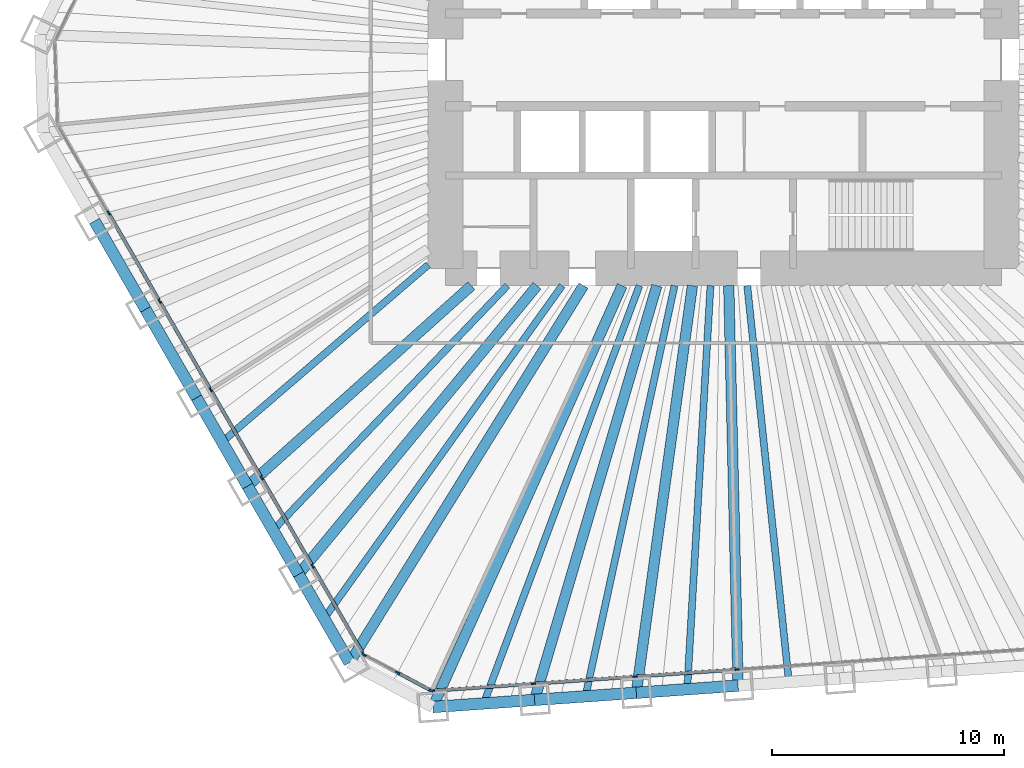
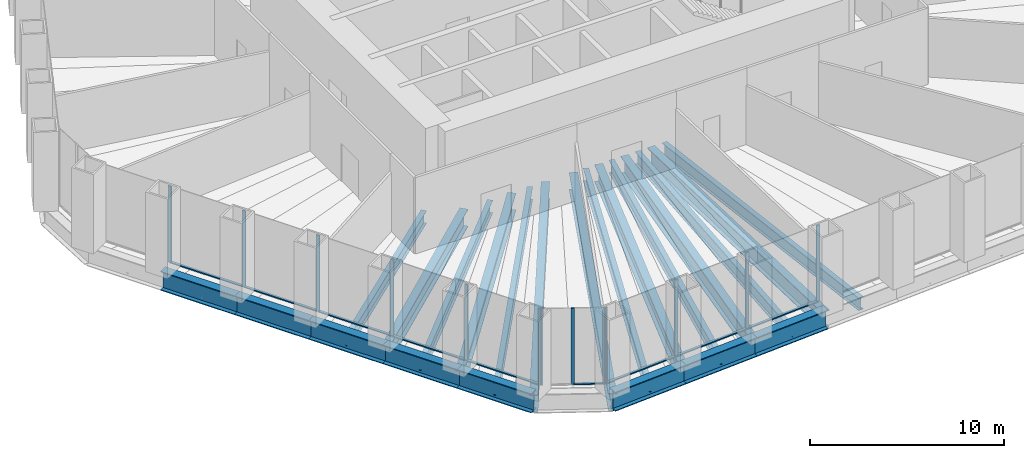
# One storey, part 2 of 13: 22 beams, 22 members, 3 elements without a shape of their own.
"""IFC4 building model written with IfcOpenShell, lengths in metres."""

from ifc_helpers import new_model, si_unit, direction, frame, origin, origin_2d, place, context, subcontext, project, spatial, rectangle, i_section, extrude, material, material_profile, profile_set, type_object, element, aggregate, save


model = new_model("IFC4")

# Units and contexts
model_context = context("Model", 3, precision=1e-05, world=origin(), true_north=direction((0.0, 1.0)))
body_context = subcontext(model_context, "Body", "Model", "MODEL_VIEW")
ifc_project = project(units=[si_unit("LENGTHUNIT", "METRE"), si_unit("AREAUNIT", "SQUARE_METRE"), si_unit("VOLUMEUNIT", "CUBIC_METRE"), si_unit("PLANEANGLEUNIT", "RADIAN"), si_unit("MASSUNIT", "GRAM", prefix="KILO")], contexts=[model_context])

# Site, building, storey
site_placement = place(None, origin())
site = spatial("IfcSite", under=ifc_project, at=site_placement, CompositionType="ELEMENT")
building_placement = place(site_placement, origin())
building = spatial("IfcBuilding", under=site, at=building_placement, Name="Qingtian Harvest Tower", CompositionType="ELEMENT")
storey_placement = place(building_placement, frame((0.0, 0.0, 67.0)))
storey = spatial("IfcBuildingStorey", under=building, at=storey_placement, Name="L13", CompositionType="ELEMENT", Elevation=67.0)

# Beams
ifc_material_1 = material(Name="Steel SM570MC", Category="steel")
ifc_material_profile_1 = material_profile(ifc_material_1, i_section(OverallWidth=0.449951171875, OverallDepth=1.10009765625, WebThickness=0.02197265625, FlangeThickness=0.044921875, at=origin_2d()), Name="H1100x450x22x45")
ifc_profile_set_1 = profile_set([ifc_material_profile_1], Name="Steel SM570MC")
beam_type_1 = type_object("IfcBeamType", Name="Corner floor beam FB8 H1100x450x22x45", PredefinedType="BEAM", material=ifc_profile_set_1)
beam_1_placement = place(storey_placement, frame((-12.552734375, -27.943603515625, -0.75), z_axis=(0.409769605538, 0.912189054077, 0.0), x_axis=(-0.912189054077, 0.409769605538, 0.0)))
element("IfcBeam", 1, at=beam_1_placement, inside=storey, type_object=beam_type_1, Name="Floor beam FB8 S6", PredefinedType="BEAM", context=body_context, shape_type="SweptSolid", body=[
    extrude(i_section(OverallWidth=0.449951171875, OverallDepth=1.10009765625, WebThickness=0.02197265625, FlangeThickness=0.044921875, at=origin_2d()), origin(), (0.0, 0.0, 1.0), 19.945068359375),
])
beam_2_placement = place(storey_placement, frame((-16.14697265625, -26.03271484375, -0.75), z_axis=(0.5270935495, 0.849807266429, 0.0), x_axis=(-0.849807266429, 0.5270935495, 0.0)))
element("IfcBeam", 2, at=beam_2_placement, inside=storey, type_object=beam_type_1, Name="Floor beam FB8 SW0", PredefinedType="BEAM", context=body_context, shape_type="SweptSolid", body=[
    extrude(i_section(OverallWidth=0.449951171875, OverallDepth=1.10009765625, WebThickness=0.02197265625, FlangeThickness=0.044921875, at=origin_2d()), origin(), (0.0, 0.0, 1.0), 19.160400390625),
])
ifc_material_2 = material(Name="Steel SM570MC", Category="steel")
ifc_material_profile_2 = material_profile(ifc_material_2, i_section(OverallWidth=0.449951171875, OverallDepth=1.10009765625, WebThickness=0.02197265625, FlangeThickness=0.044921875, at=origin_2d()), Name="H1100x450x22x45")
ifc_profile_set_2 = profile_set([ifc_material_profile_2], Name="Steel SM570MC")
beam_type_2 = type_object("IfcBeamType", Name="Floor beam FB1 H1100x450x22x45", PredefinedType="BEAM", material=ifc_profile_set_2)
beam_3_placement = place(storey_placement, frame((0.62890625, -27.02197265625, -0.75), z_axis=(-0.023274161941, 0.999729120005, 0.0), x_axis=(-0.999729120005, -0.023274161941, 0.0)))
element("IfcBeam", 3, at=beam_3_placement, inside=storey, type_object=beam_type_2, Name="Floor beam FB1 S3", PredefinedType="BEAM", context=body_context, shape_type="SweptSolid", body=[
    extrude(i_section(OverallWidth=0.449951171875, OverallDepth=1.10009765625, WebThickness=0.02197265625, FlangeThickness=0.044921875, at=origin_2d()), origin(), (0.0, 0.0, 1.0), 17.276611328125),
])
beam_4_placement = place(storey_placement, frame((-3.76513671875, -27.3291015625, -0.75), z_axis=(0.136480966577, 0.990642693287, 0.0), x_axis=(-0.990642693287, 0.136480966577, 0.0)))
element("IfcBeam", 4, at=beam_4_placement, inside=storey, type_object=beam_type_2, Name="Floor beam FB1 S4", PredefinedType="BEAM", context=body_context, shape_type="SweptSolid", body=[
    extrude(i_section(OverallWidth=0.449951171875, OverallDepth=1.10009765625, WebThickness=0.02197265625, FlangeThickness=0.044921875, at=origin_2d()), origin(), (0.0, 0.0, 1.0), 17.7451171875),
])
beam_5_placement = place(storey_placement, frame((-8.158935546875, -27.636474609375, -0.75), z_axis=(0.283142824758, 0.95907775534, 0.0), x_axis=(-0.95907775534, 0.283142824758, 0.0)))
element("IfcBeam", 5, at=beam_5_placement, inside=storey, type_object=beam_type_2, Name="Floor beam FB1 S5", PredefinedType="BEAM", context=body_context, shape_type="SweptSolid", body=[
    extrude(i_section(OverallWidth=0.449951171875, OverallDepth=1.10009765625, WebThickness=0.02197265625, FlangeThickness=0.044921875, at=origin_2d()), origin(), (0.0, 0.0, 1.0), 18.649658203125),
])
beam_6_placement = place(storey_placement, frame((-18.349365234375, -22.21826171875, -0.75), z_axis=(0.636780387972, 0.771045224026, 0.0), x_axis=(-0.771045224026, 0.636780387972, 0.0)))
element("IfcBeam", 6, at=beam_6_placement, inside=storey, type_object=beam_type_2, Name="Floor beam FB1 SW1", PredefinedType="BEAM", context=body_context, shape_type="SweptSolid", body=[
    extrude(i_section(OverallWidth=0.449951171875, OverallDepth=1.10009765625, WebThickness=0.02197265625, FlangeThickness=0.044921875, at=origin_2d()), origin(), (0.0, 0.0, 1.0), 16.170654296875),
])
beam_7_placement = place(storey_placement, frame((-20.551513671875, -18.403564453125, -0.75), z_axis=(0.744965104975, 0.667103434536, 0.0), x_axis=(-0.667103434536, 0.744965104975, 0.0)))
element("IfcBeam", 7, at=beam_7_placement, inside=storey, type_object=beam_type_2, Name="Floor beam FB1 SW2", PredefinedType="BEAM", context=body_context, shape_type="SweptSolid", body=[
    extrude(i_section(OverallWidth=0.449951171875, OverallDepth=1.10009765625, WebThickness=0.02197265625, FlangeThickness=0.044921875, at=origin_2d()), origin(), (0.0, 0.0, 1.0), 12.971923828125),
])
ifc_material_3 = material(Name="Steel SN490B", Category="steel")
ifc_material_profile_3 = material_profile(ifc_material_3, i_section(OverallWidth=0.300048828125, OverallDepth=0.800048828125, WebThickness=0.013916015625, FlangeThickness=0.02587890625, at=origin_2d()), Name="H800x300x14x26")
ifc_profile_set_3 = profile_set([ifc_material_profile_3], Name="Steel SN490B")
beam_type_3 = type_object("IfcBeamType", Name="Floor joist J1 H800x300x14x26", PredefinedType="JOIST", material=ifc_profile_set_3)
beam_8_placement = place(storey_placement, frame((2.82568359375, -26.868408203125, -0.60009765625), z_axis=(-0.104590278152, 0.99451539642, 0.0), x_axis=(-0.99451539642, -0.104590278152, 0.0)))
element("IfcBeam", 8, at=beam_8_placement, inside=storey, type_object=beam_type_3, Name="Floor joist J1 S2", PredefinedType="JOIST", context=body_context, shape_type="SweptSolid", body=[
    extrude(i_section(OverallWidth=0.300048828125, OverallDepth=0.800048828125, WebThickness=0.013916015625, FlangeThickness=0.02587890625, at=origin_2d()), origin(), (0.0, 0.0, 1.0), 17.212890625),
])
beam_9_placement = place(storey_placement, frame((-1.568115234375, -27.175537109375, -0.60009765625), z_axis=(0.057613424947, 0.998338967118, 0.0), x_axis=(-0.998338967118, 0.057613424947, 0.0)))
element("IfcBeam", 9, at=beam_9_placement, inside=storey, type_object=beam_type_3, Name="Floor joist J1 S3", PredefinedType="JOIST", context=body_context, shape_type="SweptSolid", body=[
    extrude(i_section(OverallWidth=0.300048828125, OverallDepth=0.800048828125, WebThickness=0.013916015625, FlangeThickness=0.02587890625, at=origin_2d()), origin(), (0.0, 0.0, 1.0), 17.45458984375),
])
beam_10_placement = place(storey_placement, frame((-5.9619140625, -27.48291015625, -0.60009765625), z_axis=(0.211992805661, 0.977271226604, 0.0), x_axis=(-0.977271226604, 0.211992805661, 0.0)))
element("IfcBeam", 10, at=beam_10_placement, inside=storey, type_object=beam_type_3, Name="Floor joist J1 S4", PredefinedType="JOIST", context=body_context, shape_type="SweptSolid", body=[
    extrude(i_section(OverallWidth=0.300048828125, OverallDepth=0.800048828125, WebThickness=0.013916015625, FlangeThickness=0.02587890625, at=origin_2d()), origin(), (0.0, 0.0, 1.0), 18.145263671875),
])
beam_11_placement = place(storey_placement, frame((-10.35595703125, -27.7900390625, -0.60009765625), z_axis=(0.349193741063, 0.937050548905, 0.0), x_axis=(-0.937050548905, 0.349193741063, 0.0)))
element("IfcBeam", 11, at=beam_11_placement, inside=storey, type_object=beam_type_3, Name="Floor joist J1 S5", PredefinedType="JOIST", context=body_context, shape_type="SweptSolid", body=[
    extrude(i_section(OverallWidth=0.300048828125, OverallDepth=0.800048828125, WebThickness=0.013916015625, FlangeThickness=0.02587890625, at=origin_2d()), origin(), (0.0, 0.0, 1.0), 19.251953125),
])
beam_12_placement = place(storey_placement, frame((-17.248046875, -24.12548828125, -0.60009765625), z_axis=(0.581580544546, 0.81348882611, 0.0), x_axis=(-0.81348882611, 0.581580544546, 0.0)))
element("IfcBeam", 12, at=beam_12_placement, inside=storey, type_object=beam_type_3, Name="Floor joist J1 SW0", PredefinedType="JOIST", context=body_context, shape_type="SweptSolid", body=[
    extrude(i_section(OverallWidth=0.300048828125, OverallDepth=0.800048828125, WebThickness=0.013916015625, FlangeThickness=0.02587890625, at=origin_2d()), origin(), (0.0, 0.0, 1.0), 17.67138671875),
])
beam_13_placement = place(storey_placement, frame((-19.450439453125, -20.31103515625, -0.60009765625), z_axis=(0.691639144398, 0.722243237377, 0.0), x_axis=(-0.722243237377, 0.691639144398, 0.0)))
element("IfcBeam", 13, at=beam_13_placement, inside=storey, type_object=beam_type_3, Name="Floor joist J1 SW1", PredefinedType="JOIST", context=body_context, shape_type="SweptSolid", body=[
    extrude(i_section(OverallWidth=0.300048828125, OverallDepth=0.800048828125, WebThickness=0.013916015625, FlangeThickness=0.02587890625, at=origin_2d()), origin(), (0.0, 0.0, 1.0), 14.62255859375),
])
beam_14_placement = place(storey_placement, frame((-21.652587890625, -16.496337890625, -0.60009765625), z_axis=(0.758605680154, 0.651550014994, 0.0), x_axis=(-0.651550014994, 0.758605680154, 0.0)))
element("IfcBeam", 14, at=beam_14_placement, inside=storey, type_object=beam_type_3, Name="Floor joist J1 SW2", PredefinedType="JOIST", context=body_context, shape_type="SweptSolid", body=[
    extrude(i_section(OverallWidth=0.300048828125, OverallDepth=0.800048828125, WebThickness=0.013916015625, FlangeThickness=0.02587890625, at=origin_2d()), origin(), (0.0, 0.0, 1.0), 11.7353515625),
])

# Curtain wall, members
ifc_material_4 = material(Name="Bronze-anodised aluminium curtain wall", Category="aluminium")
curtain_wall_type = type_object("IfcCurtainWallType", Name="Curtain wall CW2 farm reception", PredefinedType="USERDEFINED", material=ifc_material_4)
curtain_wall_1_placement = place(storey_placement, origin())
curtain_wall_1 = element("IfcCurtainWall", 15, at=curtain_wall_1_placement, inside=storey, type_object=curtain_wall_type, Name="Curtain wall CW2 L13 S0-5", ObjectType="RECESSED CURTAIN WALL", PredefinedType="USERDEFINED")
ifc_material_5 = material(Name="Bronze-anodised aluminium mullion", Category="aluminium")
ifc_material_profile_4 = material_profile(ifc_material_5, rectangle(XDim=0.06494140625, YDim=0.199951171875, at=origin_2d()), Name="AL 65x200")
ifc_profile_set_4 = profile_set([ifc_material_profile_4], Name="Bronze-anodised aluminium mullion")
member_type_1 = type_object("IfcMemberType", Name="Mullion CWM 65x200", PredefinedType="MULLION", material=ifc_profile_set_4)
member_1_placement = place(storey_placement, frame((0.580078125, -26.32373046875, 0.0), z_axis=(0.0, 0.0, 1.0), x_axis=(0.069756473744, -0.99756405026, 0.0)))
member_1 = element("IfcMember", 16, at=member_1_placement, type_object=member_type_1, Name="CW2 mullion 4", PredefinedType="MULLION", context=body_context, shape_type="SweptSolid", body=[
    extrude(rectangle(XDim=0.06494140625, YDim=0.199951171875, at=origin_2d()), origin(), (0.0, 0.0, 1.0), 4.800048828125),
])
member_2_placement = place(storey_placement, frame((-3.81396484375, -26.630859375, 0.0), z_axis=(0.0, 0.0, 1.0), x_axis=(0.069756473744, -0.99756405026, 0.0)))
member_2 = element("IfcMember", 17, at=member_2_placement, type_object=member_type_1, Name="CW2 mullion 5", PredefinedType="MULLION", context=body_context, shape_type="SweptSolid", body=[
    extrude(rectangle(XDim=0.06494140625, YDim=0.199951171875, at=origin_2d()), origin(), (0.0, 0.0, 1.0), 4.800048828125),
])
member_3_placement = place(storey_placement, frame((-8.207763671875, -26.938232421875, 0.0), z_axis=(0.0, 0.0, 1.0), x_axis=(0.069756473744, -0.99756405026, 0.0)))
member_3 = element("IfcMember", 18, at=member_3_placement, type_object=member_type_1, Name="CW2 mullion 6", PredefinedType="MULLION", context=body_context, shape_type="SweptSolid", body=[
    extrude(rectangle(XDim=0.06494140625, YDim=0.199951171875, at=origin_2d()), origin(), (0.0, 0.0, 1.0), 4.800048828125),
])
member_4_placement = place(storey_placement, frame((-12.569091796875, -27.2431640625, 0.0), z_axis=(0.0, 0.0, 1.0), x_axis=(0.069756473744, -0.99756405026, 0.0)))
member_4 = element("IfcMember", 19, at=member_4_placement, type_object=member_type_1, Name="CW2 mullion 7", PredefinedType="MULLION", context=body_context, shape_type="SweptSolid", body=[
    extrude(rectangle(XDim=0.06494140625, YDim=0.199951171875, at=origin_2d()), origin(), (0.0, 0.0, 1.0), 4.800048828125),
])

curtain_wall_2_placement = place(storey_placement, origin())
curtain_wall_2 = element("IfcCurtainWall", 20, at=curtain_wall_2_placement, inside=storey, type_object=curtain_wall_type, Name="Curtain wall CW2 L13 SC", ObjectType="RECESSED CURTAIN WALL", PredefinedType="USERDEFINED")
member_5_placement = place(storey_placement, frame((-12.63037109375, -27.230224609375, 0.0), z_axis=(0.0, 0.0, 1.0), x_axis=(-0.469471562786, -0.882947592859, 0.0)))
member_5 = element("IfcMember", 21, at=member_5_placement, type_object=member_type_1, Name="CW2 mullion 1", PredefinedType="MULLION", context=body_context, shape_type="SweptSolid", body=[
    extrude(rectangle(XDim=0.06494140625, YDim=0.199951171875, at=origin_2d()), origin(), (0.0, 0.0, 1.0), 4.800048828125),
])
member_6_placement = place(storey_placement, frame((-14.0712890625, -26.464111328125, 0.0), z_axis=(0.0, 0.0, 1.0), x_axis=(-0.469471562786, -0.882947592859, 0.0)))
member_6 = element("IfcMember", 22, at=member_6_placement, type_object=member_type_1, Name="CW2 mullion 2", PredefinedType="MULLION", context=body_context, shape_type="SweptSolid", body=[
    extrude(rectangle(XDim=0.06494140625, YDim=0.199951171875, at=origin_2d()), origin(), (0.0, 0.0, 1.0), 4.800048828125),
])
member_7_placement = place(storey_placement, frame((-15.511962890625, -25.697998046875, 0.0), z_axis=(0.0, 0.0, 1.0), x_axis=(-0.469471562786, -0.882947592859, 0.0)))
member_7 = element("IfcMember", 23, at=member_7_placement, type_object=member_type_1, Name="CW2 mullion 3", PredefinedType="MULLION", context=body_context, shape_type="SweptSolid", body=[
    extrude(rectangle(XDim=0.06494140625, YDim=0.199951171875, at=origin_2d()), origin(), (0.0, 0.0, 1.0), 4.800048828125),
])

curtain_wall_3_placement = place(storey_placement, origin())
curtain_wall_3 = element("IfcCurtainWall", 24, at=curtain_wall_3_placement, inside=storey, type_object=curtain_wall_type, Name="Curtain wall CW2 L13 SW0-5", ObjectType="RECESSED CURTAIN WALL", PredefinedType="USERDEFINED")
member_8_placement = place(storey_placement, frame((-15.556884765625, -25.654541015625, 0.0), z_axis=(0.0, 0.0, 1.0), x_axis=(-0.866025403784, -0.5, 0.0)))
member_8 = element("IfcMember", 25, at=member_8_placement, type_object=member_type_1, Name="CW2 mullion 1", PredefinedType="MULLION", context=body_context, shape_type="SweptSolid", body=[
    extrude(rectangle(XDim=0.06494140625, YDim=0.199951171875, at=origin_2d()), origin(), (0.0, 0.0, 1.0), 4.800048828125),
])
member_9_placement = place(storey_placement, frame((-17.742919921875, -21.8681640625, 0.0), z_axis=(0.0, 0.0, 1.0), x_axis=(-0.866025403784, -0.5, 0.0)))
member_9 = element("IfcMember", 26, at=member_9_placement, type_object=member_type_1, Name="CW2 mullion 2", PredefinedType="MULLION", context=body_context, shape_type="SweptSolid", body=[
    extrude(rectangle(XDim=0.06494140625, YDim=0.199951171875, at=origin_2d()), origin(), (0.0, 0.0, 1.0), 4.800048828125),
])
member_10_placement = place(storey_placement, frame((-19.9453125, -18.0537109375, 0.0), z_axis=(0.0, 0.0, 1.0), x_axis=(-0.866025403784, -0.5, 0.0)))
member_10 = element("IfcMember", 27, at=member_10_placement, type_object=member_type_1, Name="CW2 mullion 3", PredefinedType="MULLION", context=body_context, shape_type="SweptSolid", body=[
    extrude(rectangle(XDim=0.06494140625, YDim=0.199951171875, at=origin_2d()), origin(), (0.0, 0.0, 1.0), 4.800048828125),
])
member_11_placement = place(storey_placement, frame((-22.147705078125, -14.2392578125, 0.0), z_axis=(0.0, 0.0, 1.0), x_axis=(-0.866025403784, -0.5, 0.0)))
member_11 = element("IfcMember", 28, at=member_11_placement, type_object=member_type_1, Name="CW2 mullion 4", PredefinedType="MULLION", context=body_context, shape_type="SweptSolid", body=[
    extrude(rectangle(XDim=0.06494140625, YDim=0.199951171875, at=origin_2d()), origin(), (0.0, 0.0, 1.0), 4.800048828125),
])
member_12_placement = place(storey_placement, frame((-24.349853515625, -10.424560546875, 0.0), z_axis=(0.0, 0.0, 1.0), x_axis=(-0.866025403784, -0.5, 0.0)))
member_12 = element("IfcMember", 29, at=member_12_placement, type_object=member_type_1, Name="CW2 mullion 5", PredefinedType="MULLION", context=body_context, shape_type="SweptSolid", body=[
    extrude(rectangle(XDim=0.06494140625, YDim=0.199951171875, at=origin_2d()), origin(), (0.0, 0.0, 1.0), 4.800048828125),
])
member_13_placement = place(storey_placement, frame((-26.55224609375, -6.610107421875, 0.0), z_axis=(0.0, 0.0, 1.0), x_axis=(-0.866025403784, -0.5, 0.0)))
member_13 = element("IfcMember", 30, at=member_13_placement, type_object=member_type_1, Name="CW2 mullion 6", PredefinedType="MULLION", context=body_context, shape_type="SweptSolid", body=[
    extrude(rectangle(XDim=0.06494140625, YDim=0.199951171875, at=origin_2d()), origin(), (0.0, 0.0, 1.0), 4.800048828125),
])

# Beams
ifc_material_6 = material(Name="Steel SM570MC", Category="steel")
ifc_material_profile_5 = material_profile(ifc_material_6, i_section(OverallWidth=0.5, OverallDepth=1.199951171875, WebThickness=0.02490234375, FlangeThickness=0.050048828125, at=origin_2d()), Name="H1200x500x25x50")
ifc_profile_set_5 = profile_set([ifc_material_profile_5], Name="Steel SM570MC")
beam_type_4 = type_object("IfcBeamType", Name="Spandrel beam SB1 H1200x500x25x50", PredefinedType="SPANDREL", material=ifc_profile_set_5)
beam_15_placement = place(storey_placement, frame((0.62890625, -27.02197265625, -0.60009765625), z_axis=(-0.997566143208, -0.069726536735, 0.0), x_axis=(0.069726536735, -0.997566143208, 0.0)))
element("IfcBeam", 31, at=beam_15_placement, inside=storey, type_object=beam_type_4, Name="Spandrel SB1 S3", PredefinedType="SPANDREL", context=body_context, shape_type="SweptSolid", body=[
    extrude(i_section(OverallWidth=0.5, OverallDepth=1.199951171875, WebThickness=0.02490234375, FlangeThickness=0.050048828125, at=origin_2d()), origin(), (0.0, 0.0, 1.0), 4.40478515625),
])
for number, where, z_axis, x_axis, name in (
    (32, (-3.76513671875, -27.3291015625, -0.60009765625), (-0.997562016486, -0.069785551967, 0.0), (0.069785551967, -0.997562016486, 0.0), "Spandrel SB1 S4"),
    (33, (-8.158935546875, -27.636474609375, -0.60009765625), (-0.997565873714, -0.069730392239, 0.0), (0.069730392239, -0.997565873714, 0.0), "Spandrel SB1 S5"),
    (34, (-16.14697265625, -26.03271484375, -0.60009765625), (-0.50001992892, 0.866013897511, 0.0), (-0.866013897511, -0.50001992892, 0.0), "Spandrel SB1 SW0"),
):
    element("IfcBeam", number, at=place(storey_placement, frame(where, z_axis=z_axis, x_axis=x_axis)), inside=storey, type_object=beam_type_4, Name=name, PredefinedType="SPANDREL", context=body_context, shape_type="SweptSolid", body=[
        extrude(i_section(OverallWidth=0.5, OverallDepth=1.199951171875, WebThickness=0.02490234375, FlangeThickness=0.050048828125, at=origin_2d()), origin(), (0.0, 0.0, 1.0), 4.404541015625),
    ])
beam_16_placement = place(storey_placement, frame((-18.349365234375, -22.21826171875, -0.60009765625), z_axis=(-0.499954356739, 0.86605175433, 0.0), x_axis=(-0.86605175433, -0.499954356739, 0.0)))
element("IfcBeam", 35, at=beam_16_placement, inside=storey, type_object=beam_type_4, Name="Spandrel SB1 SW1", PredefinedType="SPANDREL", context=body_context, shape_type="SweptSolid", body=[
    extrude(i_section(OverallWidth=0.5, OverallDepth=1.199951171875, WebThickness=0.02490234375, FlangeThickness=0.050048828125, at=origin_2d()), origin(), (0.0, 0.0, 1.0), 4.40478515625),
])
for number, where, z_axis, x_axis, name in (
    (36, (-20.551513671875, -18.403564453125, -0.60009765625), (-0.50001992892, 0.866013897511, 0.0), (-0.866013897511, -0.50001992892, 0.0), "Spandrel SB1 SW2"),
    (37, (-22.75390625, -14.589111328125, -0.60009765625), (-0.499978356969, 0.866037899034, 0.0), (-0.866037899034, -0.499978356969, 0.0), "Spandrel SB1 SW3"),
    (38, (-24.9560546875, -10.774658203125, -0.60009765625), (-0.50001992892, 0.866013897511, 0.0), (-0.866013897511, -0.50001992892, 0.0), "Spandrel SB1 SW4"),
):
    element("IfcBeam", number, at=place(storey_placement, frame(where, z_axis=z_axis, x_axis=x_axis)), inside=storey, type_object=beam_type_4, Name=name, PredefinedType="SPANDREL", context=body_context, shape_type="SweptSolid", body=[
        extrude(i_section(OverallWidth=0.5, OverallDepth=1.199951171875, WebThickness=0.02490234375, FlangeThickness=0.050048828125, at=origin_2d()), origin(), (0.0, 0.0, 1.0), 4.404541015625),
    ])

# Member
ifc_material_7 = material(Name="Bronze-anodised aluminium transom", Category="aluminium")
ifc_material_profile_6 = material_profile(ifc_material_7, rectangle(XDim=0.14990234375, YDim=0.06494140625, at=origin_2d()), Name="AL 65x150")
ifc_profile_set_6 = profile_set([ifc_material_profile_6], Name="Bronze-anodised aluminium transom")
member_type_2 = type_object("IfcMemberType", Name="Transom CWT 65x150", PredefinedType="USERDEFINED", material=ifc_profile_set_6)
member_14_placement = place(storey_placement, frame((0.547607421875, -26.325927734375, 0.032470703125), z_axis=(-0.997563824095, -0.069759707979, 0.0), x_axis=(0.069759707979, -0.997563824095, 0.0)))
member_14 = element("IfcMember", 39, at=member_14_placement, type_object=member_type_2, Name="CW2 transom 4.1", ObjectType="TRANSOM", PredefinedType="USERDEFINED", context=body_context, shape_type="SweptSolid", body=[
    extrude(rectangle(XDim=0.14990234375, YDim=0.06494140625, at=origin_2d()), origin(), (0.0, 0.0, 1.0), 4.339599609375),
])

member_15_placement = place(storey_placement, frame((-3.84619140625, -26.63330078125, 0.032470703125), z_axis=(-0.997567737508, -0.069703723594, 0.0), x_axis=(0.069703723594, -0.997567737508, 0.0)))
member_15 = element("IfcMember", 40, at=member_15_placement, type_object=member_type_2, Name="CW2 transom 5.1", ObjectType="TRANSOM", PredefinedType="USERDEFINED", context=body_context, shape_type="SweptSolid", body=[
    extrude(rectangle(XDim=0.14990234375, YDim=0.06494140625, at=origin_2d()), origin(), (0.0, 0.0, 1.0), 4.339599609375),
])

member_16_placement = place(storey_placement, frame((-8.240234375, -26.9404296875, 0.032470703125), z_axis=(-0.997562637827, -0.069776669536, 0.0), x_axis=(0.069776669536, -0.997562637827, 0.0)))
member_16 = element("IfcMember", 41, at=member_16_placement, type_object=member_type_2, Name="CW2 transom 6.1", ObjectType="TRANSOM", PredefinedType="USERDEFINED", context=body_context, shape_type="SweptSolid", body=[
    extrude(rectangle(XDim=0.14990234375, YDim=0.06494140625, at=origin_2d()), origin(), (0.0, 0.0, 1.0), 4.30712890625),
])

aggregate(curtain_wall_1, [member_1, member_2, member_3, member_4, member_14, member_15, member_16])

member_17_placement = place(storey_placement, frame((-12.658935546875, -27.21484375, 0.032470703125), z_axis=(-0.882960338349, 0.46944759122, 0.0), x_axis=(-0.46944759122, -0.882960338349, 0.0)))
member_17 = element("IfcMember", 42, at=member_17_placement, type_object=member_type_2, Name="CW2 transom 1.1", ObjectType="TRANSOM", PredefinedType="USERDEFINED", context=body_context, shape_type="SweptSolid", body=[
    extrude(rectangle(XDim=0.14990234375, YDim=0.06494140625, at=origin_2d()), origin(), (0.0, 0.0, 1.0), 1.56689453125),
])

aggregate(curtain_wall_2, [member_5, member_6, member_7, member_17])

member_18_placement = place(storey_placement, frame((-15.5732421875, -25.62646484375, 0.032470703125), z_axis=(-0.499985768833, 0.866033619997, 0.0), x_axis=(-0.866033619997, -0.499985768833, 0.0)))
member_18 = element("IfcMember", 43, at=member_18_placement, type_object=member_type_2, Name="CW2 transom 1.1", ObjectType="TRANSOM", PredefinedType="USERDEFINED", context=body_context, shape_type="SweptSolid", body=[
    extrude(rectangle(XDim=0.14990234375, YDim=0.06494140625, at=origin_2d()), origin(), (0.0, 0.0, 1.0), 4.307373046875),
])

member_19_placement = place(storey_placement, frame((-17.75927734375, -21.840087890625, 0.032470703125), z_axis=(-0.500011390128, 0.866018827591, 0.0), x_axis=(-0.866018827591, -0.500011390128, 0.0)))
member_19 = element("IfcMember", 44, at=member_19_placement, type_object=member_type_2, Name="CW2 transom 2.1", ObjectType="TRANSOM", PredefinedType="USERDEFINED", context=body_context, shape_type="SweptSolid", body=[
    extrude(rectangle(XDim=0.14990234375, YDim=0.06494140625, at=origin_2d()), origin(), (0.0, 0.0, 1.0), 4.33984375),
])

member_20_placement = place(storey_placement, frame((-19.961669921875, -18.025634765625, 0.032470703125), z_axis=(-0.499969196308, 0.866043187574, 0.0), x_axis=(-0.866043187574, -0.499969196308, 0.0)))
member_20 = element("IfcMember", 45, at=member_20_placement, type_object=member_type_2, Name="CW2 transom 3.1", ObjectType="TRANSOM", PredefinedType="USERDEFINED", context=body_context, shape_type="SweptSolid", body=[
    extrude(rectangle(XDim=0.14990234375, YDim=0.06494140625, at=origin_2d()), origin(), (0.0, 0.0, 1.0), 4.339599609375),
])

member_21_placement = place(storey_placement, frame((-22.163818359375, -14.2109375, 0.032470703125), z_axis=(-0.500035751442, 0.866004761696, 0.0), x_axis=(-0.866004761696, -0.500035751442, 0.0)))
member_21 = element("IfcMember", 46, at=member_21_placement, type_object=member_type_2, Name="CW2 transom 4.1", ObjectType="TRANSOM", PredefinedType="USERDEFINED", context=body_context, shape_type="SweptSolid", body=[
    extrude(rectangle(XDim=0.14990234375, YDim=0.06494140625, at=origin_2d()), origin(), (0.0, 0.0, 1.0), 4.339599609375),
])

member_22_placement = place(storey_placement, frame((-24.3662109375, -10.396484375, 0.032470703125), z_axis=(-0.499993556937, 0.866029123656, 0.0), x_axis=(-0.866029123656, -0.499993556937, 0.0)))
member_22 = element("IfcMember", 47, at=member_22_placement, type_object=member_type_2, Name="CW2 transom 5.1", ObjectType="TRANSOM", PredefinedType="USERDEFINED", context=body_context, shape_type="SweptSolid", body=[
    extrude(rectangle(XDim=0.14990234375, YDim=0.06494140625, at=origin_2d()), origin(), (0.0, 0.0, 1.0), 4.33935546875),
])

aggregate(curtain_wall_3, [member_8, member_9, member_10, member_11, member_12, member_13, member_18, member_19, member_20, member_21, member_22])

save(model, "model.ifc")
